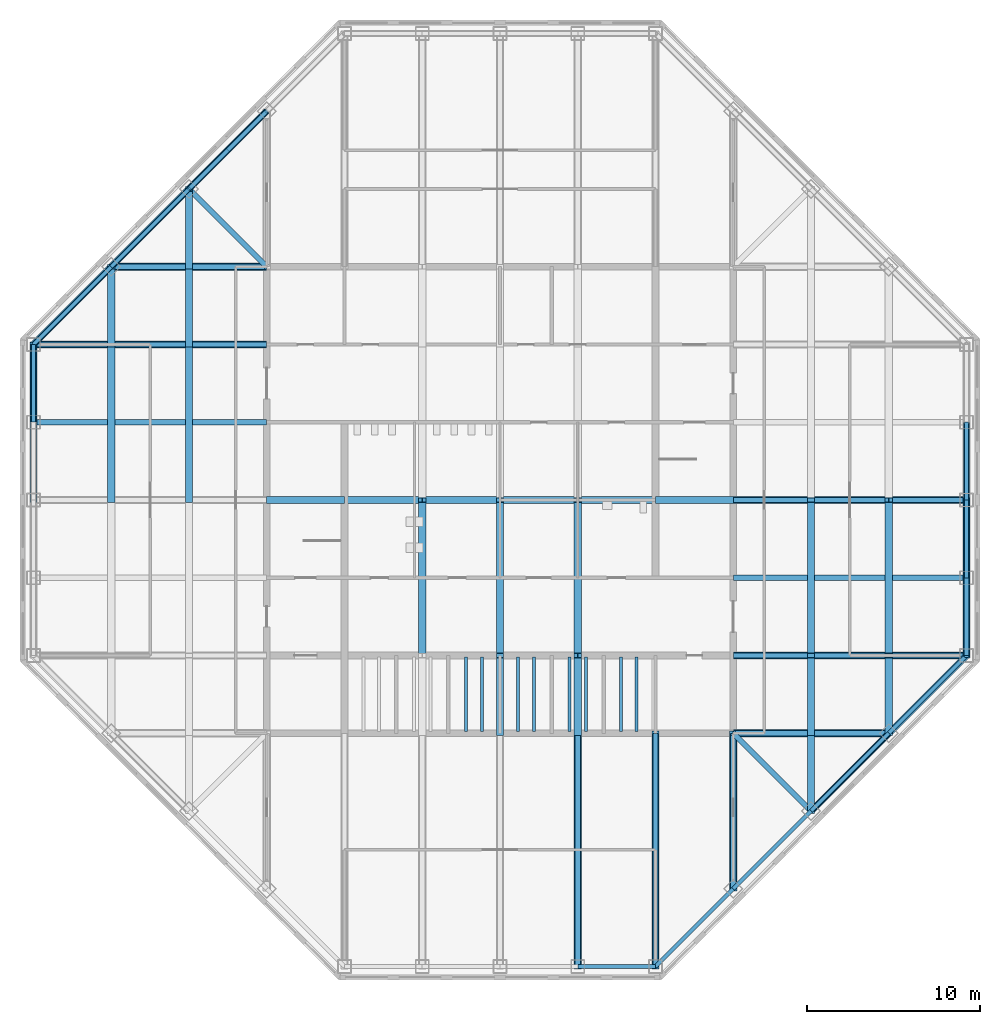
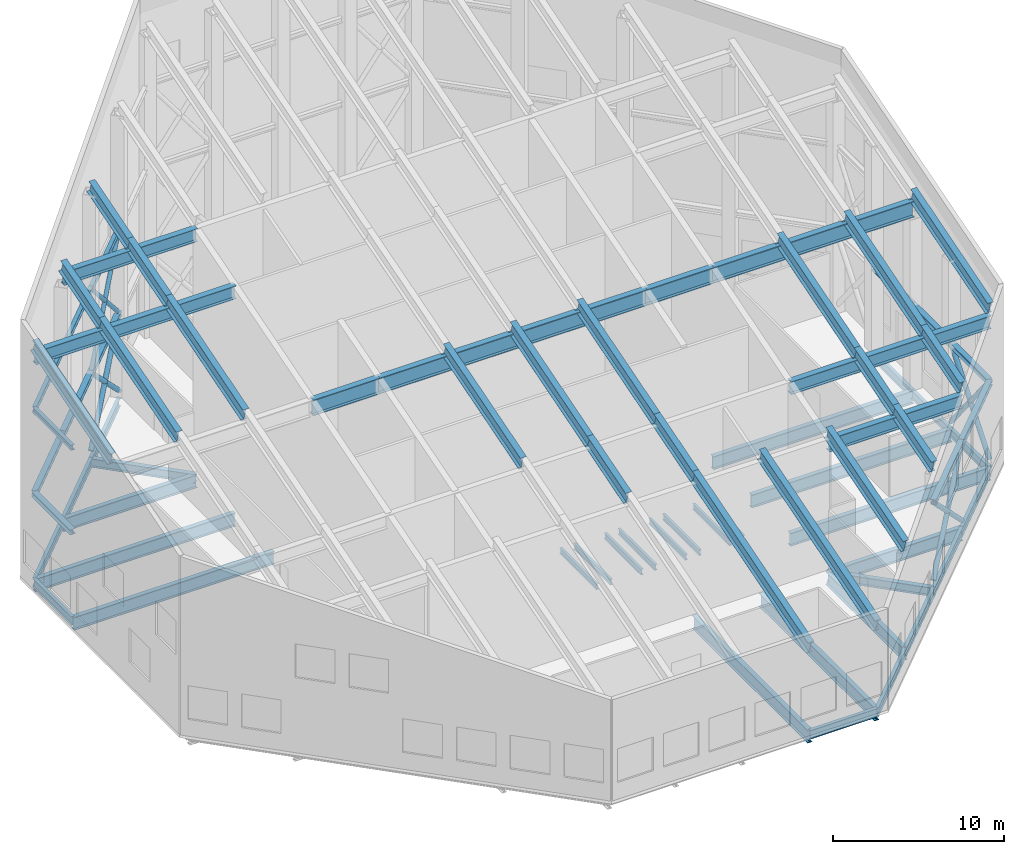
# One storey, part 2 of 10: 73 beams, 8 members.
"""IFC4 building model written with IfcOpenShell, lengths in metres."""

from ifc_helpers import new_model, si_unit, direction, frame, origin, origin_2d, place, context, subcontext, project, spatial, hollow_circle, i_section, extrude, material, material_profile, profile_set, type_object, element, save


model = new_model("IFC4")

# Units and contexts
model_context = context("Model", 3, precision=1e-05, world=origin(), true_north=direction((0.0, 1.0)))
body_context = subcontext(model_context, "Body", "Model", "MODEL_VIEW")
ifc_project = project(units=[si_unit("LENGTHUNIT", "METRE"), si_unit("AREAUNIT", "SQUARE_METRE"), si_unit("VOLUMEUNIT", "CUBIC_METRE"), si_unit("PLANEANGLEUNIT", "RADIAN"), si_unit("MASSUNIT", "GRAM", prefix="KILO")], contexts=[model_context])

# Site, building, storey
site_placement = place(None, origin())
site = spatial("IfcSite", under=ifc_project, at=site_placement, CompositionType="ELEMENT")
building_placement = place(site_placement, origin())
building = spatial("IfcBuilding", under=site, at=building_placement, Name="Corais Broadcast Tower", CompositionType="ELEMENT")
storey_placement = place(building_placement, frame((0.0, 0.0, 320.10009765625)))
storey = spatial("IfcBuildingStorey", under=building, at=storey_placement, Name="L75", CompositionType="ELEMENT", Elevation=320.10009765625)

# Beams
ifc_material_1 = material(Name="Steel ASTM A572 Grade 50", Category="steel")
ifc_material_profile_1 = material_profile(ifc_material_1, i_section(OverallWidth=0.323974609375, OverallDepth=0.611083984375, WebThickness=0.0126953125, FlangeThickness=0.01904296875, at=origin_2d()), Name="W610x155")
ifc_profile_set_1 = profile_set([ifc_material_profile_1], Name="Steel ASTM A572 Grade 50")
beam_type_1 = type_object("IfcBeamType", Name="Corner diagonal W610x155", PredefinedType="BEAM", material=ifc_profile_set_1)
for number, where, z_axis, x_axis, name in (
    (1, (45.0, 9.0, -0.505615234375), (-0.707106781187, 0.707106781187, 0.0), (-0.707106781187, -0.707106781187, 0.0), "B6 C/13 to D/12"),
    (2, (9.0, 45.0, -0.505615234375), (0.707106781187, -0.707106781187, 0.0), (0.707106781187, 0.707106781187, 0.0), "B6 L/5 to K/6"),
):
    element("IfcBeam", number, at=place(storey_placement, frame(where, z_axis=z_axis, x_axis=x_axis)), inside=storey, type_object=beam_type_1, Name=name, PredefinedType="BEAM", context=body_context, shape_type="SweptSolid", body=[
        extrude(i_section(OverallWidth=0.323974609375, OverallDepth=0.611083984375, WebThickness=0.0126953125, FlangeThickness=0.01904296875, at=origin_2d()), origin(), (0.0, 0.0, 1.0), 6.364013671875),
    ])

# Members
ifc_material_2 = material(Name="Steel S355J2H", Category="steel")
ifc_material_profile_2 = material_profile(ifc_material_2, hollow_circle(Radius=0.136474609375, WallThickness=0.010009765625, at=origin_2d()), Name="CHS 273.0x10.0")
ifc_profile_set_2 = profile_set([ifc_material_profile_2], Name="Steel S355J2H")
member_type_1 = type_object("IfcMemberType", Name="Crown brace CHS 273.0x10.0", PredefinedType="BRACE", material=ifc_profile_set_2)
for number, where, z_axis, x_axis, name in (
    (3, (13.5, 49.5, 5.822021484375), (-0.51458442751, -0.51458442751, 0.685861308086), (0.707106781187, -0.707106781187, 0.0), "CB2 crown brace M/6"),
    (4, (9.0, 45.0, 5.822021484375), (0.51458442751, 0.51458442751, 0.685861308086), (-0.707106781187, 0.707106781187, 0.0), "CB2 crown brace L/5"),
):
    element("IfcMember", number, at=place(storey_placement, frame(where, z_axis=z_axis, x_axis=x_axis)), inside=storey, type_object=member_type_1, Name=name, PredefinedType="BRACE", context=body_context, shape_type="SweptSolid", body=[
        extrude(hollow_circle(Radius=0.136474609375, WallThickness=0.010009765625, at=origin_2d()), origin(), (0.0, 0.0, 1.0), 8.744873046875),
    ])
ifc_material_3 = material(Name="Steel S355J2H", Category="steel")
ifc_material_profile_3 = material_profile(ifc_material_3, hollow_circle(Radius=0.161865234375, WallThickness=0.012451171875, at=origin_2d()), Name="CHS 323.9x12.5")
ifc_profile_set_3 = profile_set([ifc_material_profile_3], Name="Steel S355J2H")
member_type_2 = type_object("IfcMemberType", Name="Crown brace CHS 323.9x12.5", PredefinedType="BRACE", material=ifc_profile_set_3)
for number, where, z_axis, x_axis, name in (
    (5, (45.0, 9.0, 0.25), (0.532004755662, 0.532004755662, 0.658742650742), (-0.707106781187, 0.707106781187, 0.0), "CB1 crown brace C/13"),
    (6, (49.5, 13.5, 0.25), (-0.532004755662, -0.532004755662, 0.658742650742), (0.707106781187, -0.707106781187, 0.0), "CB1 crown brace D/14"),
    (7, (13.5, 49.5, 0.25), (-0.532004755662, -0.532004755662, 0.658742650742), (0.707106781187, -0.707106781187, 0.0), "CB1 crown brace M/6"),
    (8, (9.0, 45.0, 0.25), (0.532004755662, 0.532004755662, 0.658742650742), (-0.707106781187, 0.707106781187, 0.0), "CB1 crown brace L/5"),
):
    element("IfcMember", number, at=place(storey_placement, frame(where, z_axis=z_axis, x_axis=x_axis)), inside=storey, type_object=member_type_2, Name=name, PredefinedType="BRACE", context=body_context, shape_type="SweptSolid", body=[
        extrude(hollow_circle(Radius=0.161865234375, WallThickness=0.012451171875, at=origin_2d()), origin(), (0.0, 0.0, 1.0), 8.45849609375),
    ])
for number, where, z_axis, x_axis, name in (
    (9, (54.0, 18.0, 0.25), (0.0, 0.62829664095, 0.777973862652), (-1.0, 0.0, 0.0), "CB1 crown brace E/15"),
    (10, (54.0, 22.5, 0.25), (0.0, -0.62829664095, 0.777973862652), (1.0, 0.0, 0.0), "CB1 crown brace F/15"),
):
    element("IfcMember", number, at=place(storey_placement, frame(where, z_axis=z_axis, x_axis=x_axis)), inside=storey, type_object=member_type_2, Name=name, PredefinedType="BRACE", context=body_context, shape_type="SweptSolid", body=[
        extrude(hollow_circle(Radius=0.161865234375, WallThickness=0.012451171875, at=origin_2d()), origin(), (0.0, 0.0, 1.0), 7.162109375),
    ])

# Beams
ifc_material_4 = material(Name="Steel ASTM A572 Grade 50", Category="steel")
ifc_material_profile_4 = material_profile(ifc_material_4, i_section(OverallWidth=0.408935546875, OverallDepth=1.137939453125, WebThickness=0.0283203125, FlangeThickness=0.051025390625, at=origin_2d()), Name="W1100x607")
ifc_profile_set_4 = profile_set([ifc_material_profile_4], Name="Steel ASTM A572 Grade 50")
beam_type_2 = type_object("IfcBeamType", Name="Crown girder W1100x607", PredefinedType="BEAM", material=ifc_profile_set_4)
beam_1_placement = place(storey_placement, frame((13.5, 27.0, 12.758056640625), z_axis=(1.0, 0.0, 0.0), x_axis=(0.0, 1.0, 0.0)))
element("IfcBeam", 11, at=beam_1_placement, inside=storey, type_object=beam_type_2, Name="RF2 crown girder G/6", PredefinedType="BEAM", context=body_context, shape_type="SweptSolid", body=[
    extrude(i_section(OverallWidth=0.408935546875, OverallDepth=1.137939453125, WebThickness=0.0283203125, FlangeThickness=0.051025390625, at=origin_2d()), origin(), (0.0, 0.0, 1.0), 4.5),
])
beam_2_placement = place(storey_placement, frame((18.0, 27.0, 12.758056640625), z_axis=(1.0, 0.0, 0.0), x_axis=(0.0, 1.0, 0.0)))
element("IfcBeam", 12, at=beam_2_placement, inside=storey, type_object=beam_type_2, Name="RF2 crown girder G/7", PredefinedType="BEAM", context=body_context, shape_type="SweptSolid", body=[
    extrude(i_section(OverallWidth=0.408935546875, OverallDepth=1.137939453125, WebThickness=0.0283203125, FlangeThickness=0.051025390625, at=origin_2d()), origin(), (0.0, 0.0, 1.0), 18.0),
])
beam_3_placement = place(storey_placement, frame((36.0, 27.0, 12.758056640625), z_axis=(1.0, 0.0, 0.0), x_axis=(0.0, 1.0, 0.0)))
element("IfcBeam", 13, at=beam_3_placement, inside=storey, type_object=beam_type_2, Name="RF2 crown girder G/11", PredefinedType="BEAM", context=body_context, shape_type="SweptSolid", body=[
    extrude(i_section(OverallWidth=0.408935546875, OverallDepth=1.137939453125, WebThickness=0.0283203125, FlangeThickness=0.051025390625, at=origin_2d()), origin(), (0.0, 0.0, 1.0), 4.5),
])
beam_4_placement = place(storey_placement, frame((40.5, 27.0, 12.758056640625), z_axis=(1.0, 0.0, 0.0), x_axis=(0.0, 1.0, 0.0)))
element("IfcBeam", 14, at=beam_4_placement, inside=storey, type_object=beam_type_2, Name="RF2 crown girder G/12", PredefinedType="BEAM", context=body_context, shape_type="SweptSolid", body=[
    extrude(i_section(OverallWidth=0.408935546875, OverallDepth=1.137939453125, WebThickness=0.0283203125, FlangeThickness=0.051025390625, at=origin_2d()), origin(), (0.0, 0.0, 1.0), 13.5),
])
ifc_material_5 = material(Name="Steel ASTM A572 Grade 50", Category="steel")
ifc_material_profile_5 = material_profile(ifc_material_5, i_section(OverallWidth=0.256103515625, OverallDepth=0.360107421875, WebThickness=0.011474609375, FlangeThickness=0.02001953125, at=origin_2d()), Name="W360x110")
ifc_profile_set_5 = profile_set([ifc_material_profile_5], Name="Steel ASTM A572 Grade 50")
beam_type_3 = type_object("IfcBeamType", Name="Crown girt W360x110", PredefinedType="BEAM", material=ifc_profile_set_5)
for number, where, z_axis, x_axis, name in (
    (15, (13.5, 49.5, 11.81982421875), (-0.707106781187, -0.707106781187, 0.0), (0.707106781187, -0.707106781187, 0.0), "CG2 crown girt M/6"),
    (16, (9.0, 45.0, 11.81982421875), (-0.707106781187, -0.707106781187, 0.0), (0.707106781187, -0.707106781187, 0.0), "CG2 crown girt L/5"),
    (17, (4.5, 40.5, 11.81982421875), (-0.707106781187, -0.707106781187, 0.0), (0.707106781187, -0.707106781187, 0.0), "CG2 crown girt K/4"),
):
    element("IfcBeam", number, at=place(storey_placement, frame(where, z_axis=z_axis, x_axis=x_axis)), inside=storey, type_object=beam_type_3, Name=name, PredefinedType="BEAM", context=body_context, shape_type="SweptSolid", body=[
        extrude(i_section(OverallWidth=0.256103515625, OverallDepth=0.360107421875, WebThickness=0.011474609375, FlangeThickness=0.02001953125, at=origin_2d()), origin(), (0.0, 0.0, 1.0), 6.364013671875),
    ])
beam_5_placement = place(storey_placement, frame((0.0, 36.0, 11.81982421875), z_axis=(0.0, -1.0, 0.0), x_axis=(1.0, 0.0, 0.0)))
element("IfcBeam", 18, at=beam_5_placement, inside=storey, type_object=beam_type_3, Name="CG2 crown girt J/3", PredefinedType="BEAM", context=body_context, shape_type="SweptSolid", body=[
    extrude(i_section(OverallWidth=0.256103515625, OverallDepth=0.360107421875, WebThickness=0.011474609375, FlangeThickness=0.02001953125, at=origin_2d()), origin(), (0.0, 0.0, 1.0), 4.5),
])
ifc_material_6 = material(Name="Steel ASTM A572 Grade 50", Category="steel")
ifc_material_profile_6 = material_profile(ifc_material_6, i_section(OverallWidth=0.368896484375, OverallDepth=0.35595703125, WebThickness=0.01123046875, FlangeThickness=0.01806640625, at=origin_2d()), Name="W360x134")
ifc_profile_set_6 = profile_set([ifc_material_profile_6], Name="Steel ASTM A572 Grade 50")
beam_type_4 = type_object("IfcBeamType", Name="Crown ring girt W360x134", PredefinedType="BEAM", material=ifc_profile_set_6)
for number, where, z_axis, x_axis, name in (
    (19, (45.0, 9.0, 5.822021484375), (0.707106781187, 0.707106781187, 0.0), (-0.707106781187, 0.707106781187, 0.0), "CG1 crown ring girt C/13"),
    (20, (49.5, 13.5, 5.822021484375), (0.707106781187, 0.707106781187, 0.0), (-0.707106781187, 0.707106781187, 0.0), "CG1 crown ring girt D/14"),
):
    element("IfcBeam", number, at=place(storey_placement, frame(where, z_axis=z_axis, x_axis=x_axis)), inside=storey, type_object=beam_type_4, Name=name, PredefinedType="BEAM", context=body_context, shape_type="SweptSolid", body=[
        extrude(i_section(OverallWidth=0.368896484375, OverallDepth=0.35595703125, WebThickness=0.01123046875, FlangeThickness=0.01806640625, at=origin_2d()), origin(), (0.0, 0.0, 1.0), 6.364013671875),
    ])
for number, where, z_axis, x_axis, name in (
    (21, (54.0, 18.0, 5.822021484375), (0.0, 1.0, 0.0), (-1.0, 0.0, 0.0), "CG1 crown ring girt E/15"),
    (22, (54.0, 22.5, 5.822021484375), (0.0, 1.0, 0.0), (-1.0, 0.0, 0.0), "CG1 crown ring girt F/15"),
    (23, (54.0, 27.0, 5.822021484375), (0.0, 1.0, 0.0), (-1.0, 0.0, 0.0), "CG1 crown ring girt G/15"),
):
    element("IfcBeam", number, at=place(storey_placement, frame(where, z_axis=z_axis, x_axis=x_axis)), inside=storey, type_object=beam_type_4, Name=name, PredefinedType="BEAM", context=body_context, shape_type="SweptSolid", body=[
        extrude(i_section(OverallWidth=0.368896484375, OverallDepth=0.35595703125, WebThickness=0.01123046875, FlangeThickness=0.01806640625, at=origin_2d()), origin(), (0.0, 0.0, 1.0), 4.5),
    ])
for number, where, z_axis, x_axis, name in (
    (24, (13.5, 49.5, 5.822021484375), (-0.707106781187, -0.707106781187, 0.0), (0.707106781187, -0.707106781187, 0.0), "CG1 crown ring girt M/6"),
    (25, (9.0, 45.0, 5.822021484375), (-0.707106781187, -0.707106781187, 0.0), (0.707106781187, -0.707106781187, 0.0), "CG1 crown ring girt L/5"),
    (26, (4.5, 40.5, 5.822021484375), (-0.707106781187, -0.707106781187, 0.0), (0.707106781187, -0.707106781187, 0.0), "CG1 crown ring girt K/4"),
):
    element("IfcBeam", number, at=place(storey_placement, frame(where, z_axis=z_axis, x_axis=x_axis)), inside=storey, type_object=beam_type_4, Name=name, PredefinedType="BEAM", context=body_context, shape_type="SweptSolid", body=[
        extrude(i_section(OverallWidth=0.368896484375, OverallDepth=0.35595703125, WebThickness=0.01123046875, FlangeThickness=0.01806640625, at=origin_2d()), origin(), (0.0, 0.0, 1.0), 6.364013671875),
    ])
beam_6_placement = place(storey_placement, frame((0.0, 36.0, 5.822021484375), z_axis=(0.0, -1.0, 0.0), x_axis=(1.0, 0.0, 0.0)))
element("IfcBeam", 27, at=beam_6_placement, inside=storey, type_object=beam_type_4, Name="CG1 crown ring girt J/3", PredefinedType="BEAM", context=body_context, shape_type="SweptSolid", body=[
    extrude(i_section(OverallWidth=0.368896484375, OverallDepth=0.35595703125, WebThickness=0.01123046875, FlangeThickness=0.01806640625, at=origin_2d()), origin(), (0.0, 0.0, 1.0), 4.5),
])
ifc_material_7 = material(Name="Steel ASTM A572 Grade 50", Category="steel")
ifc_material_profile_7 = material_profile(ifc_material_7, i_section(OverallWidth=0.177978515625, OverallDepth=0.406982421875, WebThickness=0.0078125, FlangeThickness=0.0126953125, at=origin_2d()), Name="W410x60")
ifc_profile_set_7 = profile_set([ifc_material_profile_7], Name="Steel ASTM A572 Grade 50")
beam_type_5 = type_object("IfcBeamType", Name="Pit beam W410x60", PredefinedType="BEAM", material=ifc_profile_set_7)
for number, where, z_axis, x_axis, name in (
    (28, (25.033203125, 13.60009765625, 3.996337890625), (0.0, 1.0, 0.0), (-1.0, 0.0, 0.0), "B15 lift pit beam D/9 -1967 +200"),
    (29, (25.966796875, 13.60009765625, 3.996337890625), (0.0, 1.0, 0.0), (-1.0, 0.0, 0.0), "B15 lift pit beam D/9 -1033 +200"),
    (30, (28.033203125, 13.60009765625, 3.996337890625), (0.0, 1.0, 0.0), (-1.0, 0.0, 0.0), "B15 lift pit beam D/9 +1033 +200"),
    (31, (28.966796875, 13.60009765625, 3.996337890625), (0.0, 1.0, 0.0), (-1.0, 0.0, 0.0), "B15 lift pit beam D/9 +1967 +200"),
    (32, (31.033203125, 13.60009765625, 3.996337890625), (0.0, 1.0, 0.0), (-1.0, 0.0, 0.0), "B15 lift pit beam D/10 -467 +200"),
    (33, (31.966796875, 13.60009765625, 3.996337890625), (0.0, 1.0, 0.0), (-1.0, 0.0, 0.0), "B15 lift pit beam D/10 +467 +200"),
    (34, (34.0, 13.60009765625, 3.996337890625), (0.0, 1.0, 0.0), (-1.0, 0.0, 0.0), "B15 lift pit beam D/11 -2000 +200"),
    (35, (34.89990234375, 13.60009765625, 3.996337890625), (0.0, 1.0, 0.0), (-1.0, 0.0, 0.0), "B15 lift pit beam D/11 -1100 +200"),
):
    element("IfcBeam", number, at=place(storey_placement, frame(where, z_axis=z_axis, x_axis=x_axis)), inside=storey, type_object=beam_type_5, Name=name, PredefinedType="BEAM", context=body_context, shape_type="SweptSolid", body=[
        extrude(i_section(OverallWidth=0.177978515625, OverallDepth=0.406982421875, WebThickness=0.0078125, FlangeThickness=0.0126953125, at=origin_2d()), origin(), (0.0, 0.0, 1.0), 4.2998046875),
    ])
ifc_material_8 = material(Name="Steel ASTM A572 Grade 50", Category="steel")
ifc_material_profile_8 = material_profile(ifc_material_8, i_section(OverallWidth=0.30908203125, OverallDepth=0.931884765625, WebThickness=0.02099609375, FlangeThickness=0.034423828125, at=origin_2d()), Name="W920x313")
ifc_profile_set_8 = profile_set([ifc_material_profile_8], Name="Steel ASTM A572 Grade 50")
beam_type_6 = type_object("IfcBeamType", Name="Plant floor beam W920x313", PredefinedType="BEAM", material=ifc_profile_set_8)
for number, where, z_axis, x_axis, name in (
    (36, (0.0, 31.5, -0.666015625), (1.0, 0.0, 0.0), (0.0, 1.0, 0.0), "B17 H/3 to H/6"),
    (37, (0.0, 36.0, -0.666015625), (1.0, 0.0, 0.0), (0.0, 1.0, 0.0), "B17 J/3 to J/6"),
    (38, (31.5, 0.0, -0.666015625), (0.0, 1.0, 0.0), (-1.0, 0.0, 0.0), "B17 A/10 to D/10"),
    (39, (36.0, 0.0, -0.666015625), (0.0, 1.0, 0.0), (-1.0, 0.0, 0.0), "B17 A/11 to D/11"),
):
    element("IfcBeam", number, at=place(storey_placement, frame(where, z_axis=z_axis, x_axis=x_axis)), inside=storey, type_object=beam_type_6, Name=name, PredefinedType="BEAM", context=body_context, shape_type="SweptSolid", body=[
        extrude(i_section(OverallWidth=0.30908203125, OverallDepth=0.931884765625, WebThickness=0.02099609375, FlangeThickness=0.034423828125, at=origin_2d()), origin(), (0.0, 0.0, 1.0), 13.5),
    ])
for number, where, z_axis, x_axis, name in (
    (40, (4.5, 40.5, -0.666015625), (1.0, 0.0, 0.0), (0.0, 1.0, 0.0), "B17 K/4 to K/6"),
    (41, (40.5, 4.5, -0.666015625), (0.0, 1.0, 0.0), (-1.0, 0.0, 0.0), "B17 B/12 to D/12"),
    (42, (49.5, 13.5, -0.666015625), (-1.0, 0.0, 0.0), (0.0, -1.0, 0.0), "B17 D/14 to D/12"),
):
    element("IfcBeam", number, at=place(storey_placement, frame(where, z_axis=z_axis, x_axis=x_axis)), inside=storey, type_object=beam_type_6, Name=name, PredefinedType="BEAM", context=body_context, shape_type="SweptSolid", body=[
        extrude(i_section(OverallWidth=0.30908203125, OverallDepth=0.931884765625, WebThickness=0.02099609375, FlangeThickness=0.034423828125, at=origin_2d()), origin(), (0.0, 0.0, 1.0), 9.0),
    ])
for number, where, z_axis, x_axis, name in (
    (43, (54.0, 18.0, -0.666015625), (-1.0, 0.0, 0.0), (0.0, -1.0, 0.0), "B17 E/15 to E/12"),
    (44, (54.0, 22.5, -0.666015625), (-1.0, 0.0, 0.0), (0.0, -1.0, 0.0), "B17 F/15 to F/12"),
    (45, (54.0, 27.0, -0.666015625), (-1.0, 0.0, 0.0), (0.0, -1.0, 0.0), "B17 G/15 to G/12"),
):
    element("IfcBeam", number, at=place(storey_placement, frame(where, z_axis=z_axis, x_axis=x_axis)), inside=storey, type_object=beam_type_6, Name=name, PredefinedType="BEAM", context=body_context, shape_type="SweptSolid", body=[
        extrude(i_section(OverallWidth=0.30908203125, OverallDepth=0.931884765625, WebThickness=0.02099609375, FlangeThickness=0.034423828125, at=origin_2d()), origin(), (0.0, 0.0, 1.0), 13.5),
    ])
ifc_material_9 = material(Name="Steel ASTM A572 Grade 50", Category="steel")
ifc_material_profile_9 = material_profile(ifc_material_9, i_section(OverallWidth=0.408935546875, OverallDepth=0.927001953125, WebThickness=0.0166015625, FlangeThickness=0.030029296875, at=origin_2d()), Name="W920x289")
ifc_profile_set_9 = profile_set([ifc_material_profile_9], Name="Steel ASTM A572 Grade 50")
beam_type_7 = type_object("IfcBeamType", Name="Rafter W920x289", PredefinedType="BEAM", material=ifc_profile_set_9)
beam_7_placement = place(storey_placement, frame((40.5, 13.5, 8.8134765625), z_axis=(1.0, 0.0, 0.0), x_axis=(0.0, 1.0, 0.0)))
element("IfcBeam", 46, at=beam_7_placement, inside=storey, type_object=beam_type_7, Name="RF1 crown girder D/12", PredefinedType="BEAM", context=body_context, shape_type="SweptSolid", body=[
    extrude(i_section(OverallWidth=0.408935546875, OverallDepth=0.927001953125, WebThickness=0.0166015625, FlangeThickness=0.030029296875, at=origin_2d()), origin(), (0.0, 0.0, 1.0), 9.0),
])
for number, where, z_axis, x_axis, name in (
    (47, (40.5, 18.0, 10.16357421875), (1.0, 0.0, 0.0), (0.0, 1.0, 0.0), "RF1 crown girder E/12"),
    (48, (0.0, 36.0, 15.5634765625), (1.0, 0.0, 0.0), (0.0, 1.0, 0.0), "RF1 crown girder J/3"),
):
    element("IfcBeam", number, at=place(storey_placement, frame(where, z_axis=z_axis, x_axis=x_axis)), inside=storey, type_object=beam_type_7, Name=name, PredefinedType="BEAM", context=body_context, shape_type="SweptSolid", body=[
        extrude(i_section(OverallWidth=0.408935546875, OverallDepth=0.927001953125, WebThickness=0.0166015625, FlangeThickness=0.030029296875, at=origin_2d()), origin(), (0.0, 0.0, 1.0), 13.5),
    ])
beam_8_placement = place(storey_placement, frame((4.5, 40.5, 16.91357421875), z_axis=(1.0, 0.0, 0.0), x_axis=(0.0, 1.0, 0.0)))
element("IfcBeam", 49, at=beam_8_placement, inside=storey, type_object=beam_type_7, Name="RF1 crown girder K/4", PredefinedType="BEAM", context=body_context, shape_type="SweptSolid", body=[
    extrude(i_section(OverallWidth=0.408935546875, OverallDepth=0.927001953125, WebThickness=0.0166015625, FlangeThickness=0.030029296875, at=origin_2d()), origin(), (0.0, 0.0, 1.0), 9.0),
])
for number, where, z_axis, x_axis, name in (
    (50, (0.0, 27.0, 13.76611328125), (0.0, 0.957827715452, 0.287343118088), (-1.0, 0.0, 0.0), "RF1 rafter G/3"),
    (51, (4.5, 27.0, 13.76611328125), (0.0, 0.957827715452, 0.287343118088), (-1.0, 0.0, 0.0), "RF1 rafter G/4"),
):
    element("IfcBeam", number, at=place(storey_placement, frame(where, z_axis=z_axis, x_axis=x_axis)), inside=storey, type_object=beam_type_7, Name=name, PredefinedType="BEAM", context=body_context, shape_type="SweptSolid", body=[
        extrude(i_section(OverallWidth=0.408935546875, OverallDepth=0.927001953125, WebThickness=0.0166015625, FlangeThickness=0.030029296875, at=origin_2d()), origin(), (0.0, 0.0, 1.0), 9.396240234375),
    ])
beam_9_placement = place(storey_placement, frame((4.5, 36.0, 16.466064453125), z_axis=(0.0, 0.957834866313, 0.287319280374), x_axis=(-1.0, 0.0, 0.0)))
element("IfcBeam", 52, at=beam_9_placement, inside=storey, type_object=beam_type_7, Name="RF1 rafter J/4", PredefinedType="BEAM", context=body_context, shape_type="SweptSolid", body=[
    extrude(i_section(OverallWidth=0.408935546875, OverallDepth=0.927001953125, WebThickness=0.0166015625, FlangeThickness=0.030029296875, at=origin_2d()), origin(), (0.0, 0.0, 1.0), 4.697998046875),
])
beam_10_placement = place(storey_placement, frame((9.0, 27.0, 13.76611328125), z_axis=(0.0, 0.957827715452, 0.287343118088), x_axis=(-1.0, 0.0, 0.0)))
element("IfcBeam", 53, at=beam_10_placement, inside=storey, type_object=beam_type_7, Name="RF1 rafter G/5", PredefinedType="BEAM", context=body_context, shape_type="SweptSolid", body=[
    extrude(i_section(OverallWidth=0.408935546875, OverallDepth=0.927001953125, WebThickness=0.0166015625, FlangeThickness=0.030029296875, at=origin_2d()), origin(), (0.0, 0.0, 1.0), 9.396240234375),
])
beam_11_placement = place(storey_placement, frame((9.0, 36.0, 16.466064453125), z_axis=(0.0, 0.957834866313, 0.287319280374), x_axis=(-1.0, 0.0, 0.0)))
element("IfcBeam", 54, at=beam_11_placement, inside=storey, type_object=beam_type_7, Name="RF1 rafter J/5", PredefinedType="BEAM", context=body_context, shape_type="SweptSolid", body=[
    extrude(i_section(OverallWidth=0.408935546875, OverallDepth=0.927001953125, WebThickness=0.0166015625, FlangeThickness=0.030029296875, at=origin_2d()), origin(), (0.0, 0.0, 1.0), 4.697998046875),
])
beam_12_placement = place(storey_placement, frame((9.0, 40.5, 17.81591796875), z_axis=(0.0, 0.957820564104, 0.287366955268), x_axis=(-1.0, 0.0, 0.0)))
element("IfcBeam", 55, at=beam_12_placement, inside=storey, type_object=beam_type_7, Name="RF1 rafter K/5", PredefinedType="BEAM", context=body_context, shape_type="SweptSolid", body=[
    extrude(i_section(OverallWidth=0.408935546875, OverallDepth=0.927001953125, WebThickness=0.0166015625, FlangeThickness=0.030029296875, at=origin_2d()), origin(), (0.0, 0.0, 1.0), 4.6982421875),
])
beam_13_placement = place(storey_placement, frame((22.5, 18.0, 11.06591796875), z_axis=(0.0, 0.957820564104, 0.287366955268), x_axis=(-1.0, 0.0, 0.0)))
element("IfcBeam", 56, at=beam_13_placement, inside=storey, type_object=beam_type_7, Name="RF1 rafter E/8", PredefinedType="BEAM", context=body_context, shape_type="SweptSolid", body=[
    extrude(i_section(OverallWidth=0.408935546875, OverallDepth=0.927001953125, WebThickness=0.0166015625, FlangeThickness=0.030029296875, at=origin_2d()), origin(), (0.0, 0.0, 1.0), 9.396240234375),
])
beam_14_placement = place(storey_placement, frame((27.0, 13.5, 9.716064453125), z_axis=(0.0, 0.957834866313, 0.287319280374), x_axis=(-1.0, 0.0, 0.0)))
element("IfcBeam", 57, at=beam_14_placement, inside=storey, type_object=beam_type_7, Name="RF1 rafter D/9", PredefinedType="BEAM", context=body_context, shape_type="SweptSolid", body=[
    extrude(i_section(OverallWidth=0.408935546875, OverallDepth=0.927001953125, WebThickness=0.0166015625, FlangeThickness=0.030029296875, at=origin_2d()), origin(), (0.0, 0.0, 1.0), 4.697998046875),
])
beam_15_placement = place(storey_placement, frame((27.0, 18.0, 11.06591796875), z_axis=(0.0, 0.957820564104, 0.287366955268), x_axis=(-1.0, 0.0, 0.0)))
element("IfcBeam", 58, at=beam_15_placement, inside=storey, type_object=beam_type_7, Name="RF1 rafter E/9", PredefinedType="BEAM", context=body_context, shape_type="SweptSolid", body=[
    extrude(i_section(OverallWidth=0.408935546875, OverallDepth=0.927001953125, WebThickness=0.0166015625, FlangeThickness=0.030029296875, at=origin_2d()), origin(), (0.0, 0.0, 1.0), 9.396240234375),
])
beam_16_placement = place(storey_placement, frame((31.5, 0.0, 5.666015625), z_axis=(0.0, 0.957825331723, 0.287351063874), x_axis=(-1.0, 0.0, 0.0)))
element("IfcBeam", 59, at=beam_16_placement, inside=storey, type_object=beam_type_7, Name="RF1 rafter A/10", PredefinedType="BEAM", context=body_context, shape_type="SweptSolid", body=[
    extrude(i_section(OverallWidth=0.408935546875, OverallDepth=0.927001953125, WebThickness=0.0166015625, FlangeThickness=0.030029296875, at=origin_2d()), origin(), (0.0, 0.0, 1.0), 14.094482421875),
])
beam_17_placement = place(storey_placement, frame((31.5, 13.5, 9.716064453125), z_axis=(0.0, 0.957834866313, 0.287319280374), x_axis=(-1.0, 0.0, 0.0)))
element("IfcBeam", 60, at=beam_17_placement, inside=storey, type_object=beam_type_7, Name="RF1 rafter D/10", PredefinedType="BEAM", context=body_context, shape_type="SweptSolid", body=[
    extrude(i_section(OverallWidth=0.408935546875, OverallDepth=0.927001953125, WebThickness=0.0166015625, FlangeThickness=0.030029296875, at=origin_2d()), origin(), (0.0, 0.0, 1.0), 4.697998046875),
])
beam_18_placement = place(storey_placement, frame((31.5, 18.0, 11.06591796875), z_axis=(0.0, 0.957820564104, 0.287366955268), x_axis=(-1.0, 0.0, 0.0)))
element("IfcBeam", 61, at=beam_18_placement, inside=storey, type_object=beam_type_7, Name="RF1 rafter E/10", PredefinedType="BEAM", context=body_context, shape_type="SweptSolid", body=[
    extrude(i_section(OverallWidth=0.408935546875, OverallDepth=0.927001953125, WebThickness=0.0166015625, FlangeThickness=0.030029296875, at=origin_2d()), origin(), (0.0, 0.0, 1.0), 9.396240234375),
])
beam_19_placement = place(storey_placement, frame((36.0, 0.0, 5.666015625), z_axis=(0.0, 0.957825331723, 0.287351063874), x_axis=(-1.0, 0.0, 0.0)))
element("IfcBeam", 62, at=beam_19_placement, inside=storey, type_object=beam_type_7, Name="RF1 rafter A/11", PredefinedType="BEAM", context=body_context, shape_type="SweptSolid", body=[
    extrude(i_section(OverallWidth=0.408935546875, OverallDepth=0.927001953125, WebThickness=0.0166015625, FlangeThickness=0.030029296875, at=origin_2d()), origin(), (0.0, 0.0, 1.0), 14.094482421875),
])
beam_20_placement = place(storey_placement, frame((40.5, 4.5, 7.01611328125), z_axis=(0.0, 0.957827715452, 0.287343118088), x_axis=(-1.0, 0.0, 0.0)))
element("IfcBeam", 63, at=beam_20_placement, inside=storey, type_object=beam_type_7, Name="RF1 rafter B/12", PredefinedType="BEAM", context=body_context, shape_type="SweptSolid", body=[
    extrude(i_section(OverallWidth=0.408935546875, OverallDepth=0.927001953125, WebThickness=0.0166015625, FlangeThickness=0.030029296875, at=origin_2d()), origin(), (0.0, 0.0, 1.0), 9.396240234375),
])
beam_21_placement = place(storey_placement, frame((45.0, 9.0, 8.365966796875), z_axis=(0.0, 0.957820564104, 0.287366955268), x_axis=(-1.0, 0.0, 0.0)))
element("IfcBeam", 64, at=beam_21_placement, inside=storey, type_object=beam_type_7, Name="RF1 rafter C/13", PredefinedType="BEAM", context=body_context, shape_type="SweptSolid", body=[
    extrude(i_section(OverallWidth=0.408935546875, OverallDepth=0.927001953125, WebThickness=0.0166015625, FlangeThickness=0.030029296875, at=origin_2d()), origin(), (0.0, 0.0, 1.0), 4.6982421875),
])
beam_22_placement = place(storey_placement, frame((45.0, 13.5, 9.716064453125), z_axis=(0.0, 0.957834866313, 0.287319280374), x_axis=(-1.0, 0.0, 0.0)))
element("IfcBeam", 65, at=beam_22_placement, inside=storey, type_object=beam_type_7, Name="RF1 rafter D/13", PredefinedType="BEAM", context=body_context, shape_type="SweptSolid", body=[
    extrude(i_section(OverallWidth=0.408935546875, OverallDepth=0.927001953125, WebThickness=0.0166015625, FlangeThickness=0.030029296875, at=origin_2d()), origin(), (0.0, 0.0, 1.0), 4.697998046875),
])
beam_23_placement = place(storey_placement, frame((45.0, 18.0, 11.06591796875), z_axis=(0.0, 0.957820564104, 0.287366955268), x_axis=(-1.0, 0.0, 0.0)))
element("IfcBeam", 66, at=beam_23_placement, inside=storey, type_object=beam_type_7, Name="RF1 rafter E/13", PredefinedType="BEAM", context=body_context, shape_type="SweptSolid", body=[
    extrude(i_section(OverallWidth=0.408935546875, OverallDepth=0.927001953125, WebThickness=0.0166015625, FlangeThickness=0.030029296875, at=origin_2d()), origin(), (0.0, 0.0, 1.0), 9.396240234375),
])
beam_24_placement = place(storey_placement, frame((49.5, 13.5, 9.716064453125), z_axis=(0.0, 0.957834866313, 0.287319280374), x_axis=(-1.0, 0.0, 0.0)))
element("IfcBeam", 67, at=beam_24_placement, inside=storey, type_object=beam_type_7, Name="RF1 rafter D/14", PredefinedType="BEAM", context=body_context, shape_type="SweptSolid", body=[
    extrude(i_section(OverallWidth=0.408935546875, OverallDepth=0.927001953125, WebThickness=0.0166015625, FlangeThickness=0.030029296875, at=origin_2d()), origin(), (0.0, 0.0, 1.0), 4.697998046875),
])
for number, where, z_axis, x_axis, name in (
    (68, (49.5, 18.0, 11.06591796875), (0.0, 0.957820564104, 0.287366955268), (-1.0, 0.0, 0.0), "RF1 rafter E/14"),
    (69, (54.0, 18.0, 11.06591796875), (0.0, 0.957820564104, 0.287366955268), (-1.0, 0.0, 0.0), "RF1 rafter E/15"),
):
    element("IfcBeam", number, at=place(storey_placement, frame(where, z_axis=z_axis, x_axis=x_axis)), inside=storey, type_object=beam_type_7, Name=name, PredefinedType="BEAM", context=body_context, shape_type="SweptSolid", body=[
        extrude(i_section(OverallWidth=0.408935546875, OverallDepth=0.927001953125, WebThickness=0.0166015625, FlangeThickness=0.030029296875, at=origin_2d()), origin(), (0.0, 0.0, 1.0), 9.396240234375),
    ])
ifc_material_10 = material(Name="Steel ASTM A572 Grade 50", Category="steel")
ifc_material_profile_10 = material_profile(ifc_material_10, i_section(OverallWidth=0.22998046875, OverallDepth=0.616943359375, WebThickness=0.01318359375, FlangeThickness=0.022216796875, at=origin_2d()), Name="W610x140")
ifc_profile_set_10 = profile_set([ifc_material_profile_10], Name="Steel ASTM A572 Grade 50")
beam_type_8 = type_object("IfcBeamType", Name="Spandrel W610x140", PredefinedType="BEAM", material=ifc_profile_set_10)
beam_25_placement = place(storey_placement, frame((0.0, 36.0, -0.508544921875), z_axis=(0.0, -1.0, 0.0), x_axis=(1.0, 0.0, 0.0)))
element("IfcBeam", 70, at=beam_25_placement, inside=storey, type_object=beam_type_8, Name="SB3 J/3 to H/3", PredefinedType="BEAM", context=body_context, shape_type="SweptSolid", body=[
    extrude(i_section(OverallWidth=0.22998046875, OverallDepth=0.616943359375, WebThickness=0.01318359375, FlangeThickness=0.022216796875, at=origin_2d()), origin(), (0.0, 0.0, 1.0), 4.5),
])
beam_26_placement = place(storey_placement, frame((13.5, 49.5, -0.508544921875), z_axis=(-0.707106781187, -0.707106781187, 0.0), x_axis=(0.707106781187, -0.707106781187, 0.0)))
element("IfcBeam", 71, at=beam_26_placement, inside=storey, type_object=beam_type_8, Name="SB3 M/6 to L/5", PredefinedType="BEAM", context=body_context, shape_type="SweptSolid", body=[
    extrude(i_section(OverallWidth=0.22998046875, OverallDepth=0.616943359375, WebThickness=0.01318359375, FlangeThickness=0.022216796875, at=origin_2d()), origin(), (0.0, 0.0, 1.0), 6.364013671875),
])
beam_27_placement = place(storey_placement, frame((31.5, 0.0, -0.508544921875), z_axis=(1.0, 0.0, 0.0), x_axis=(0.0, 1.0, 0.0)))
element("IfcBeam", 72, at=beam_27_placement, inside=storey, type_object=beam_type_8, Name="SB3 A/10 to A/11", PredefinedType="BEAM", context=body_context, shape_type="SweptSolid", body=[
    extrude(i_section(OverallWidth=0.22998046875, OverallDepth=0.616943359375, WebThickness=0.01318359375, FlangeThickness=0.022216796875, at=origin_2d()), origin(), (0.0, 0.0, 1.0), 4.5),
])
for number, where, z_axis, x_axis, name in (
    (73, (36.0, 0.0, -0.508544921875), (0.707106781187, 0.707106781187, 0.0), (-0.707106781187, 0.707106781187, 0.0), "SB3 A/11 to B/12"),
    (74, (4.5, 40.5, -0.508544921875), (-0.707106781187, -0.707106781187, 0.0), (0.707106781187, -0.707106781187, 0.0), "SB3 K/4 to J/3"),
    (75, (40.5, 4.5, -0.508544921875), (0.707106781187, 0.707106781187, 0.0), (-0.707106781187, 0.707106781187, 0.0), "SB3 B/12 to C/13"),
    (76, (45.0, 9.0, -0.508544921875), (0.707106781187, 0.707106781187, 0.0), (-0.707106781187, 0.707106781187, 0.0), "SB3 C/13 to D/14"),
    (77, (49.5, 13.5, -0.508544921875), (0.707106781187, 0.707106781187, 0.0), (-0.707106781187, 0.707106781187, 0.0), "SB3 D/14 to E/15"),
):
    element("IfcBeam", number, at=place(storey_placement, frame(where, z_axis=z_axis, x_axis=x_axis)), inside=storey, type_object=beam_type_8, Name=name, PredefinedType="BEAM", context=body_context, shape_type="SweptSolid", body=[
        extrude(i_section(OverallWidth=0.22998046875, OverallDepth=0.616943359375, WebThickness=0.01318359375, FlangeThickness=0.022216796875, at=origin_2d()), origin(), (0.0, 0.0, 1.0), 6.364013671875),
    ])
for number, where, z_axis, x_axis, name in (
    (78, (54.0, 18.0, -0.508544921875), (0.0, 1.0, 0.0), (-1.0, 0.0, 0.0), "SB3 E/15 to F/15"),
    (79, (54.0, 22.5, -0.508544921875), (0.0, 1.0, 0.0), (-1.0, 0.0, 0.0), "SB3 F/15 to G/15"),
    (80, (54.0, 27.0, -0.508544921875), (0.0, 1.0, 0.0), (-1.0, 0.0, 0.0), "SB3 G/15 to H/15"),
):
    element("IfcBeam", number, at=place(storey_placement, frame(where, z_axis=z_axis, x_axis=x_axis)), inside=storey, type_object=beam_type_8, Name=name, PredefinedType="BEAM", context=body_context, shape_type="SweptSolid", body=[
        extrude(i_section(OverallWidth=0.22998046875, OverallDepth=0.616943359375, WebThickness=0.01318359375, FlangeThickness=0.022216796875, at=origin_2d()), origin(), (0.0, 0.0, 1.0), 4.5),
    ])
beam_28_placement = place(storey_placement, frame((9.0, 45.0, -0.508544921875), z_axis=(-0.707106781187, -0.707106781187, 0.0), x_axis=(0.707106781187, -0.707106781187, 0.0)))
element("IfcBeam", 81, at=beam_28_placement, inside=storey, type_object=beam_type_8, Name="SB3 L/5 to K/4", PredefinedType="BEAM", context=body_context, shape_type="SweptSolid", body=[
    extrude(i_section(OverallWidth=0.22998046875, OverallDepth=0.616943359375, WebThickness=0.01318359375, FlangeThickness=0.022216796875, at=origin_2d()), origin(), (0.0, 0.0, 1.0), 6.364013671875),
])

save(model, "model.ifc")
